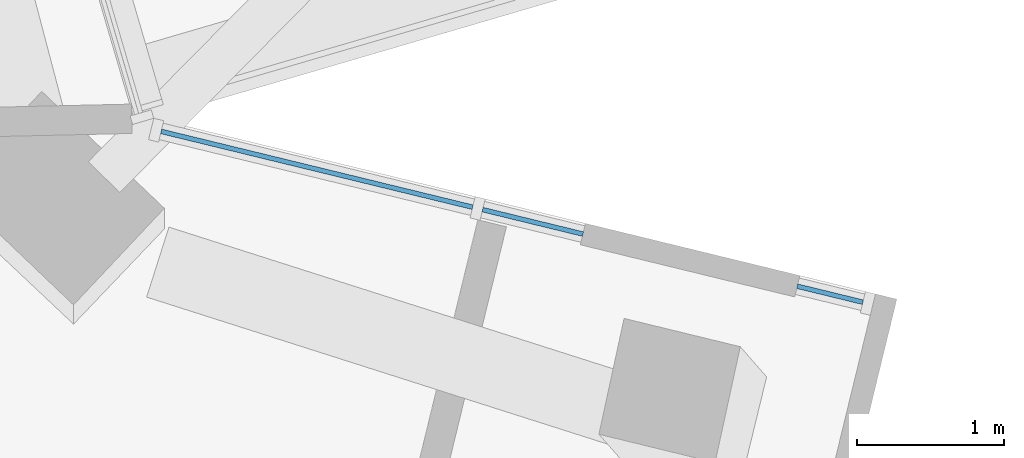
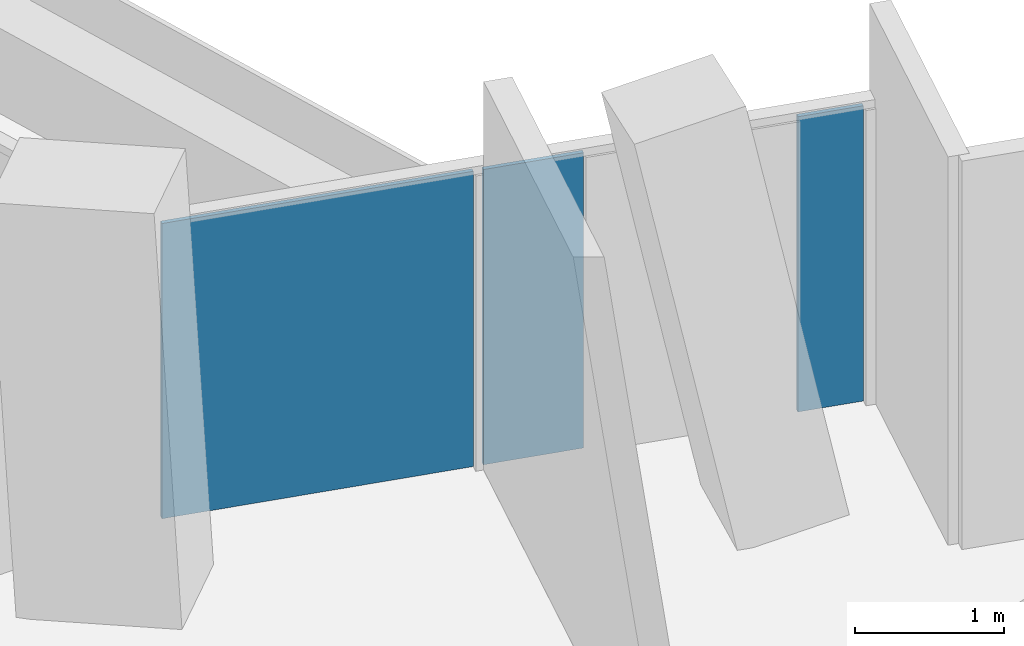
# One storey, part 14 of 25: 3 plates, 1 element without a shape of its own.
"""IFC4 building model written with IfcOpenShell, lengths in metres."""

from ifc_helpers import new_model, si_unit, direction, frame, origin, origin_2d, place, context, subcontext, project, spatial, rectangle, extrude, material, layer, layer_set, type_object, element, aggregate, save


model = new_model("IFC4")

# Units and contexts
model_context = context("Model", 3, precision=1e-05, world=origin(), true_north=direction((0.0, 1.0)))
body_context = subcontext(model_context, "Body", "Model", "MODEL_VIEW")
ifc_project = project(units=[si_unit("LENGTHUNIT", "METRE"), si_unit("AREAUNIT", "SQUARE_METRE"), si_unit("VOLUMEUNIT", "CUBIC_METRE"), si_unit("PLANEANGLEUNIT", "RADIAN"), si_unit("MASSUNIT", "GRAM", prefix="KILO")], contexts=[model_context])

# Site, building, storey
site_placement = place(None, origin())
site = spatial("IfcSite", under=ifc_project, at=site_placement, CompositionType="ELEMENT")
building_placement = place(site_placement, origin())
building = spatial("IfcBuilding", under=site, at=building_placement, Name="Verdalira Terraces Hotel", CompositionType="ELEMENT")
storey_placement = place(building_placement, frame((0.0, 0.0, 100.0)))
storey = spatial("IfcBuildingStorey", under=building, at=storey_placement, Name="L23", CompositionType="ELEMENT", Elevation=100.0)

# Curtain wall, plates
ifc_material_1 = material(Name="Clear glass", Category="glass")
ifc_layer_1 = layer(ifc_material_1, 0.14990234375)
ifc_layer_set_1 = layer_set([ifc_layer_1], Name="CW2 curtain wall")
curtain_wall_type = type_object("IfcCurtainWallType", Name="CW2 curtain wall", PredefinedType="NOTDEFINED", material=ifc_layer_set_1)
curtain_wall_placement = place(storey_placement, origin())
curtain_wall = element("IfcCurtainWall", 1, at=curtain_wall_placement, inside=storey, type_object=curtain_wall_type, Name="CW2 curtain wall L23 edge 38", PredefinedType="NOTDEFINED")
ifc_material_2 = material(Name="Clear glass", Category="glass")
ifc_layer_2 = layer(ifc_material_2, 0.031982421875)
ifc_layer_set_2 = layer_set([ifc_layer_2], Name="CW2 glass unit 32")
plate_type = type_object("IfcPlateType", Name="CW2 glass unit 32", PredefinedType="CURTAIN_PANEL", material=ifc_layer_set_2)
plate_1_placement = place(storey_placement, frame((29.712891, -0.619629, 0.0), z_axis=(0.0, 0.0, 1.0), x_axis=(-0.971631733, 0.236498997, 0.0)))
plate_1 = element("IfcPlate", 2, at=plate_1_placement, type_object=plate_type, Name="CW2 glass unit", PredefinedType="CURTAIN_PANEL", context=body_context, shape_type="SweptSolid", body=[
    extrude(rectangle(XDim=0.459961, YDim=0.031982, at=origin_2d()), origin(), (0.0, 0.0, 1.0), 2.425049),
])
plate_2_placement = place(storey_placement, frame((27.688477, -0.126953, 0.0), z_axis=(0.0, 0.0, 1.0), x_axis=(-0.971631733, 0.236498997, 0.0)))
plate_2 = element("IfcPlate", 3, at=plate_2_placement, type_object=plate_type, Name="CW2 glass unit", PredefinedType="CURTAIN_PANEL", context=body_context, shape_type="SweptSolid", body=[
    extrude(rectangle(XDim=0.703125, YDim=0.031982, at=origin_2d()), origin(), (0.0, 0.0, 1.0), 2.425049),
])
plate_3_placement = place(storey_placement, frame((26.218262, 0.230957, 0.0), z_axis=(0.0, 0.0, 1.0), x_axis=(-0.971631733, 0.236498997, 0.0)))
plate_3 = element("IfcPlate", 4, at=plate_3_placement, type_object=plate_type, Name="CW2 glass unit", PredefinedType="CURTAIN_PANEL", context=body_context, shape_type="SweptSolid", body=[
    extrude(rectangle(XDim=2.183105, YDim=0.031982, at=origin_2d()), origin(), (0.0, 0.0, 1.0), 2.425049),
])
aggregate(curtain_wall, [plate_1, plate_2, plate_3])

save(model, "model.ifc")
